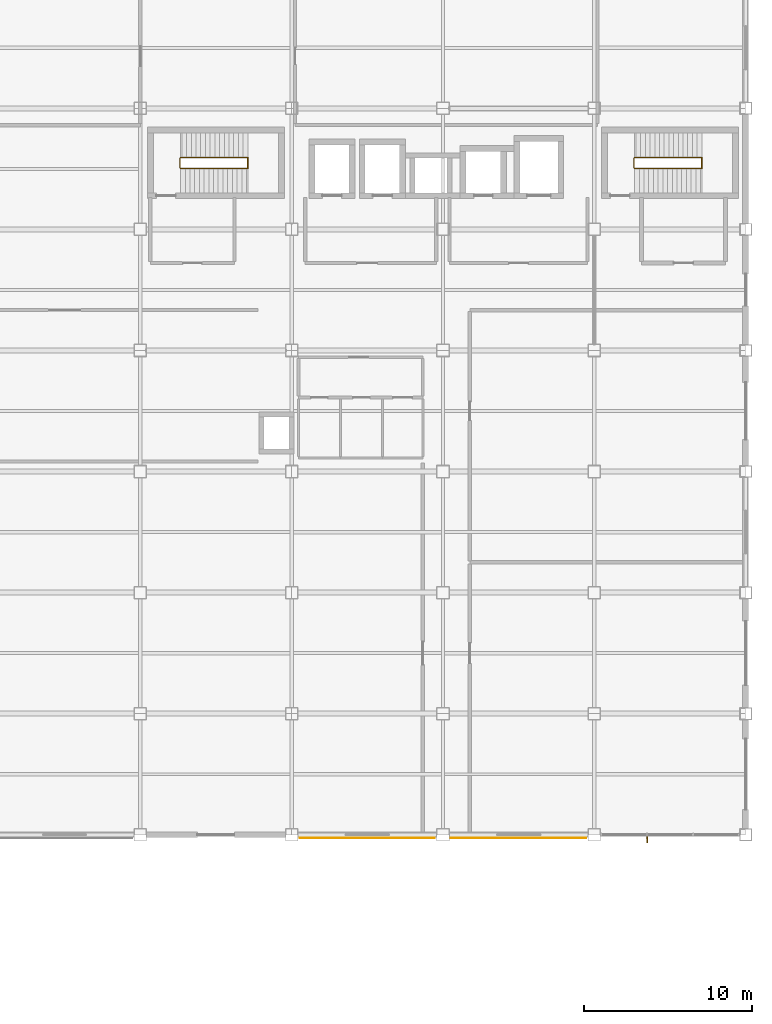
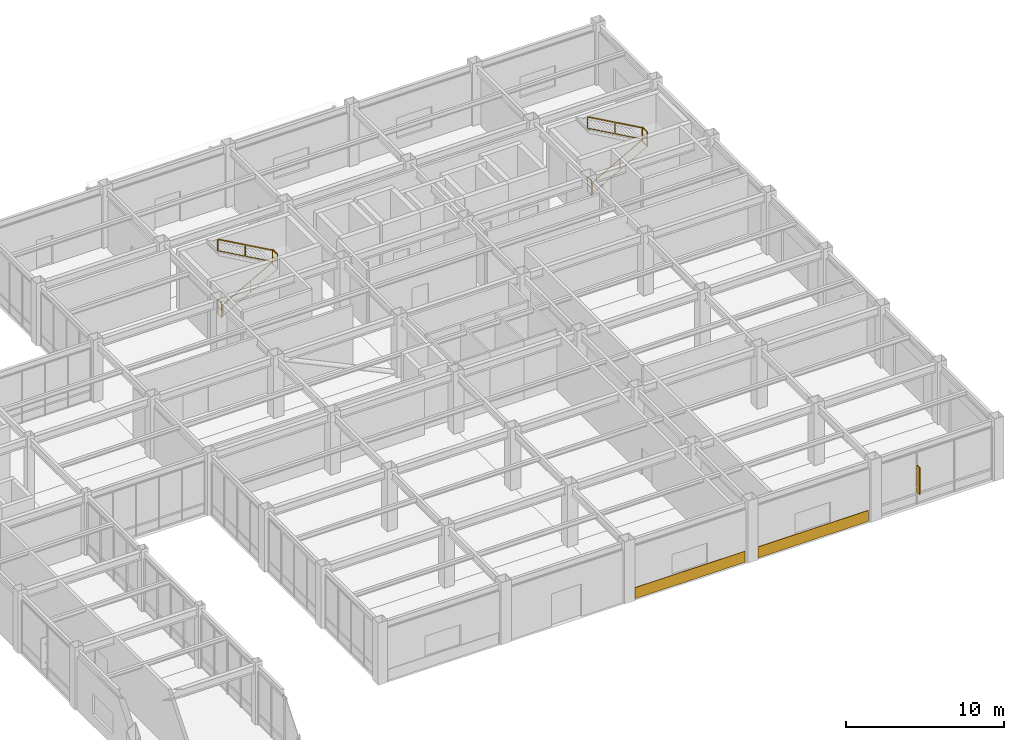
# One storey, part 110 of 112: 8 railings, 2 coverings, 1 shading device.
"""IFC4 building model written with IfcOpenShell, lengths in metres."""

from ifc_helpers import new_model, si_unit, direction, frame, origin, origin_2d, place, context, subcontext, project, spatial, rectangle, extrude, material, layer, layer_set, type_object, element, save


model = new_model("IFC4")

# Units and contexts
model_context = context("Model", 3, precision=1e-05, world=origin(), true_north=direction((0.0, 1.0)))
body_context = subcontext(model_context, "Body", "Model", "MODEL_VIEW")
ifc_project = project(units=[si_unit("LENGTHUNIT", "METRE"), si_unit("AREAUNIT", "SQUARE_METRE"), si_unit("VOLUMEUNIT", "CUBIC_METRE"), si_unit("PLANEANGLEUNIT", "RADIAN"), si_unit("MASSUNIT", "GRAM", prefix="KILO")], contexts=[model_context])

# Site, building, storey
site_placement = place(None, origin())
site = spatial("IfcSite", under=ifc_project, at=site_placement, CompositionType="ELEMENT")
building_placement = place(site_placement, origin())
building = spatial("IfcBuilding", under=site, at=building_placement, Name="Kazanami Central Library", CompositionType="ELEMENT")
storey_placement = place(building_placement, origin())
storey = spatial("IfcBuildingStorey", under=building, at=storey_placement, Name="L01", CompositionType="ELEMENT", Elevation=0.0)

# Coverings
ifc_material_1 = material(Name="Honed Inada Granite", Category="masonry")
ifc_layer = layer(ifc_material_1, 0.0400390625, Name="Honed Inada Granite")
ifc_layer_set = layer_set([ifc_layer], Name="Honed Inada Granite")
covering_type = type_object("IfcCoveringType", Name="COV-CLD-40", PredefinedType="CLADDING", material=ifc_layer_set)
for number, where, z_axis, x_axis, name in (
    (1, (139.5, 43.0048828125, 0.02490234375), (0.0, 0.0, 1.0), (1.0, 0.0, 0.0), "Honed Inada Granite Plinth CLD-40 S-G-15"),
    (2, (148.5, 43.0048828125, 0.02490234375), (0.0, 0.0, 1.0), (1.0, 0.0, 0.0), "Honed Inada Granite Plinth CLD-40 S-G-16"),
):
    element("IfcCovering", number, at=place(storey_placement, frame(where, z_axis=z_axis, x_axis=x_axis)), inside=storey, type_object=covering_type, Name=name, PredefinedType="CLADDING", context=body_context, shape_type="SweptSolid", body=[
        extrude(rectangle(XDim=8.050048828125, YDim=0.0400390625, at=origin_2d()), origin(), (0.0, 0.0, 1.0), 0.85009765625),
    ])

# Railings
ifc_material_2 = material(Name="Stainless Steel SUS304", Category="steel")
railing_type_1 = type_object("IfcRailingType", Name="RAL-GR-S1", PredefinedType="GUARDRAIL", material=ifc_material_2)
railing_1_placement = place(storey_placement, frame((128.360107421875, 82.89501953125, 0.0)))
element("IfcRailing", 3, at=railing_1_placement, inside=storey, type_object=railing_type_1, Name="Stair Well Guard ST-01 L01", PredefinedType="GUARDRAIL", context=body_context, shape_type="SweptSolid", body=[
    extrude(rectangle(XDim=0.0439453125, YDim=0.0439453125, at=origin_2d()), frame((0.0, 0.02587890625, 1.1279296875), z_axis=(0.0, 1.0, 0.0), x_axis=(-1.0, 0.0, 0.0)), (0.0, 0.0, 1.0), 0.4580078125),
    extrude(rectangle(XDim=0.02392578125, YDim=0.02392578125, at=origin_2d()), frame((0.0, 0.02587890625, 0.015869140625), z_axis=(0.0, 1.0, 0.0), x_axis=(-1.0, 0.0, 0.0)), (0.0, 0.0, 1.0), 0.4580078125),
    extrude(rectangle(XDim=0.02392578125, YDim=0.02392578125, at=origin_2d()), frame((0.0, 0.02587890625, 0.574951171875), z_axis=(0.0, 1.0, 0.0), x_axis=(-1.0, 0.0, 0.0)), (0.0, 0.0, 1.0), 0.4580078125),
    extrude(rectangle(XDim=0.035888671875, YDim=0.035888671875, at=origin_2d()), origin(), (0.0, 0.0, 1.0), 1.10205078125),
    extrude(rectangle(XDim=0.035888671875, YDim=0.035888671875, at=origin_2d()), frame((0.0, 0.510009765625, 0.0)), (0.0, 0.0, 1.0), 1.10205078125),
])
railing_2_placement = place(storey_placement, frame((132.387939453125, 82.844970703125, 2.39990234375)))
element("IfcRailing", 4, at=railing_2_placement, inside=storey, type_object=railing_type_1, Name="Half-Landing Well Guard ST-01 L01", PredefinedType="GUARDRAIL", context=body_context, shape_type="SweptSolid", body=[
    extrude(rectangle(XDim=0.0439453125, YDim=0.0439453125, at=origin_2d()), frame((0.0, 0.02587890625, 1.1279296875), z_axis=(0.0, 1.0, 0.0), x_axis=(-1.0, 0.0, 0.0)), (0.0, 0.0, 1.0), 0.55810546875),
    extrude(rectangle(XDim=0.02392578125, YDim=0.02392578125, at=origin_2d()), frame((0.0, 0.02587890625, 0.015869140625), z_axis=(0.0, 1.0, 0.0), x_axis=(-1.0, 0.0, 0.0)), (0.0, 0.0, 1.0), 0.55810546875),
    extrude(rectangle(XDim=0.02392578125, YDim=0.02392578125, at=origin_2d()), frame((0.0, 0.02587890625, 0.574951171875), z_axis=(0.0, 1.0, 0.0), x_axis=(-1.0, 0.0, 0.0)), (0.0, 0.0, 1.0), 0.55810546875),
    extrude(rectangle(XDim=0.035888671875, YDim=0.035888671875, at=origin_2d()), origin(), (0.0, 0.0, 1.0), 1.10205078125),
    extrude(rectangle(XDim=0.035888671875, YDim=0.035888671875, at=origin_2d()), frame((0.0, 0.610107421875, 0.0)), (0.0, 0.0, 1.0), 1.10205078125),
])
railing_3_placement = place(storey_placement, frame((155.360107421875, 82.89501953125, 0.0)))
element("IfcRailing", 5, at=railing_3_placement, inside=storey, type_object=railing_type_1, Name="Stair Well Guard ST-02 L01", PredefinedType="GUARDRAIL", context=body_context, shape_type="SweptSolid", body=[
    extrude(rectangle(XDim=0.0439453125, YDim=0.0439453125, at=origin_2d()), frame((0.0, 0.02587890625, 1.1279296875), z_axis=(0.0, 1.0, 0.0), x_axis=(-1.0, 0.0, 0.0)), (0.0, 0.0, 1.0), 0.4580078125),
    extrude(rectangle(XDim=0.02392578125, YDim=0.02392578125, at=origin_2d()), frame((0.0, 0.02587890625, 0.015869140625), z_axis=(0.0, 1.0, 0.0), x_axis=(-1.0, 0.0, 0.0)), (0.0, 0.0, 1.0), 0.4580078125),
    extrude(rectangle(XDim=0.02392578125, YDim=0.02392578125, at=origin_2d()), frame((0.0, 0.02587890625, 0.574951171875), z_axis=(0.0, 1.0, 0.0), x_axis=(-1.0, 0.0, 0.0)), (0.0, 0.0, 1.0), 0.4580078125),
    extrude(rectangle(XDim=0.035888671875, YDim=0.035888671875, at=origin_2d()), origin(), (0.0, 0.0, 1.0), 1.10205078125),
    extrude(rectangle(XDim=0.035888671875, YDim=0.035888671875, at=origin_2d()), frame((0.0, 0.510009765625, 0.0)), (0.0, 0.0, 1.0), 1.10205078125),
])
railing_4_placement = place(storey_placement, frame((159.387939453125, 82.844970703125, 2.39990234375)))
element("IfcRailing", 6, at=railing_4_placement, inside=storey, type_object=railing_type_1, Name="Half-Landing Well Guard ST-02 L01", PredefinedType="GUARDRAIL", context=body_context, shape_type="SweptSolid", body=[
    extrude(rectangle(XDim=0.0439453125, YDim=0.0439453125, at=origin_2d()), frame((0.0, 0.02587890625, 1.1279296875), z_axis=(0.0, 1.0, 0.0), x_axis=(-1.0, 0.0, 0.0)), (0.0, 0.0, 1.0), 0.55810546875),
    extrude(rectangle(XDim=0.02392578125, YDim=0.02392578125, at=origin_2d()), frame((0.0, 0.02587890625, 0.015869140625), z_axis=(0.0, 1.0, 0.0), x_axis=(-1.0, 0.0, 0.0)), (0.0, 0.0, 1.0), 0.55810546875),
    extrude(rectangle(XDim=0.02392578125, YDim=0.02392578125, at=origin_2d()), frame((0.0, 0.02587890625, 0.574951171875), z_axis=(0.0, 1.0, 0.0), x_axis=(-1.0, 0.0, 0.0)), (0.0, 0.0, 1.0), 0.55810546875),
    extrude(rectangle(XDim=0.035888671875, YDim=0.035888671875, at=origin_2d()), origin(), (0.0, 0.0, 1.0), 1.10205078125),
    extrude(rectangle(XDim=0.035888671875, YDim=0.035888671875, at=origin_2d()), frame((0.0, 0.610107421875, 0.0)), (0.0, 0.0, 1.0), 1.10205078125),
])
railing_type_2 = type_object("IfcRailingType", Name="RAL-HR-01", PredefinedType="HANDRAIL", material=ifc_material_2)
for number, where, name in (
    (7, (128.39404296875, 82.824951171875, 0.159912109375), "Stair Handrail ST-01 Flight 1 (L01)"),
    (8, (155.39404296875, 82.824951171875, 0.159912109375), "Stair Handrail ST-02 Flight 1 (L01)"),
):
    element("IfcRailing", number, at=place(storey_placement, frame(where)), inside=storey, type_object=railing_type_2, Name=name, PredefinedType="HANDRAIL", context=body_context, shape_type="SweptSolid", body=[
        extrude(rectangle(XDim=0.0439453125, YDim=0.0439453125, at=origin_2d()), frame((0.022705078125, 0.0, 0.890625), z_axis=(0.872188536466, 0.0, 0.489169865033), x_axis=(0.0, 1.0, 0.0)), (0.0, 0.0, 1.0), 4.527099609375),
        extrude(rectangle(XDim=0.02392578125, YDim=0.02392578125, at=origin_2d()), frame((0.022705078125, 0.0, 0.028564453125), z_axis=(0.872188536466, 0.0, 0.489169865033), x_axis=(0.0, 1.0, 0.0)), (0.0, 0.0, 1.0), 4.527099609375),
        extrude(rectangle(XDim=0.035888671875, YDim=0.035888671875, at=origin_2d()), origin(), (0.0, 0.0, 1.0), 0.85205078125),
        extrude(rectangle(XDim=0.035888671875, YDim=0.035888671875, at=origin_2d()), frame((1.9970703125, 0.0, 1.1201171875)), (0.0, 0.0, 1.0), 0.85205078125),
        extrude(rectangle(XDim=0.035888671875, YDim=0.035888671875, at=origin_2d()), frame((3.993896484375, 0.0, 2.239990234375)), (0.0, 0.0, 1.0), 0.85205078125),
    ])
railing_type_3 = type_object("IfcRailingType", Name="RAL-HR-02", PredefinedType="HANDRAIL", material=ifc_material_2)
for number, where, name in (
    (9, (132.39404296875, 83.47509765625, 2.56005859375), "Stair Handrail ST-01 Flight 2 (L01)"),
    (10, (159.39404296875, 83.47509765625, 2.56005859375), "Stair Handrail ST-02 Flight 2 (L01)"),
):
    element("IfcRailing", number, at=place(storey_placement, frame(where)), inside=storey, type_object=railing_type_3, Name=name, PredefinedType="HANDRAIL", context=body_context, shape_type="SweptSolid", body=[
        extrude(rectangle(XDim=0.0439453125, YDim=0.0439453125, at=origin_2d()), frame((-0.022705078125, 0.0, 0.91064453125), z_axis=(-0.872201293295, 0.0, 0.489147118947), x_axis=(0.0, -1.0, 0.0)), (0.0, 0.0, 1.0), 4.52734375),
        extrude(rectangle(XDim=0.02392578125, YDim=0.02392578125, at=origin_2d()), frame((-0.022705078125, 0.0, 0.028564453125), z_axis=(-0.872201293295, 0.0, 0.489147118947), x_axis=(0.0, -1.0, 0.0)), (0.0, 0.0, 1.0), 4.52734375),
        extrude(rectangle(XDim=0.035888671875, YDim=0.035888671875, at=origin_2d()), origin(), (0.0, 0.0, 1.0), 0.8720703125),
        extrude(rectangle(XDim=0.035888671875, YDim=0.035888671875, at=origin_2d()), frame((-1.9970703125, 0.0, 1.1201171875)), (0.0, 0.0, 1.0), 0.8720703125),
        extrude(rectangle(XDim=0.035888671875, YDim=0.035888671875, at=origin_2d()), frame((-3.994140625, 0.0, 2.239990234375)), (0.0, 0.0, 1.0), 0.8720703125),
    ])

# Shading device
ifc_material_3 = material(Name="Anodised Bronze-Grey Aluminium A6063-T5", Category="aluminium")
shading_device_type = type_object("IfcShadingDeviceType", Name="SHD-FIN-1", PredefinedType="USERDEFINED", material=ifc_material_3)
shading_device_placement = place(storey_placement, frame((156.13330078125, 42.89990234375, 0.9775390625), z_axis=(0.0, 0.0, 1.0), x_axis=(1.0, 0.0, 0.0)))
element("IfcShadingDevice", 11, at=shading_device_placement, inside=storey, type_object=shading_device_type, Name="Vertical Solar Fin SF-01 L01 S-G-17.1", ObjectType="SOLAR FIN", PredefinedType="USERDEFINED", context=body_context, shape_type="SweptSolid", body=[
    extrude(rectangle(XDim=0.06005859375, YDim=0.360107421875, at=origin_2d()), origin(), (0.0, 0.0, 1.0), 2.10009765625),
])

save(model, "model.ifc")
